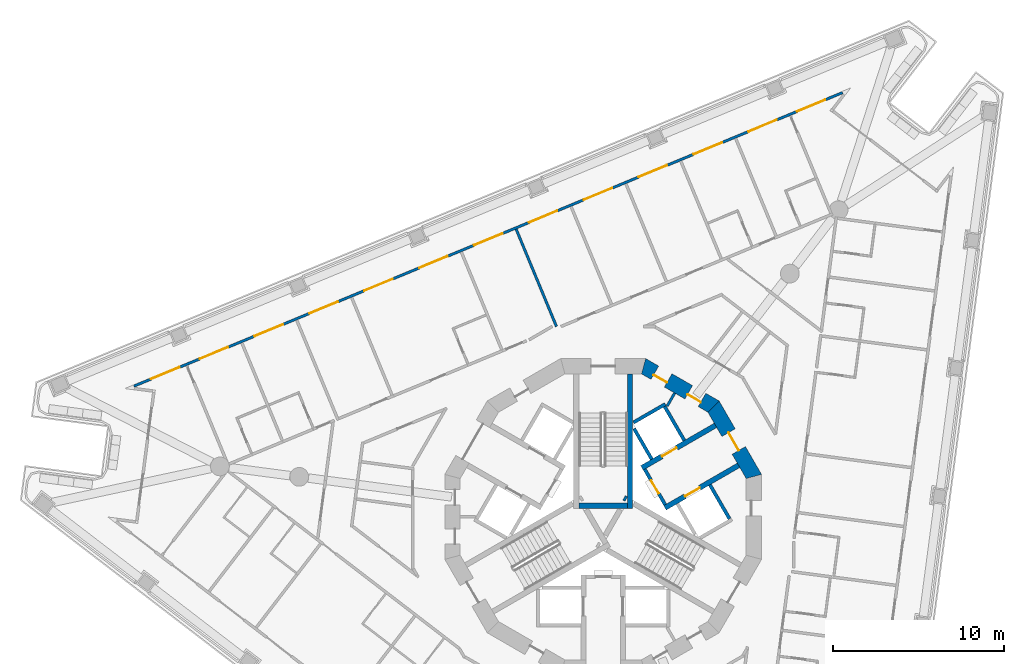
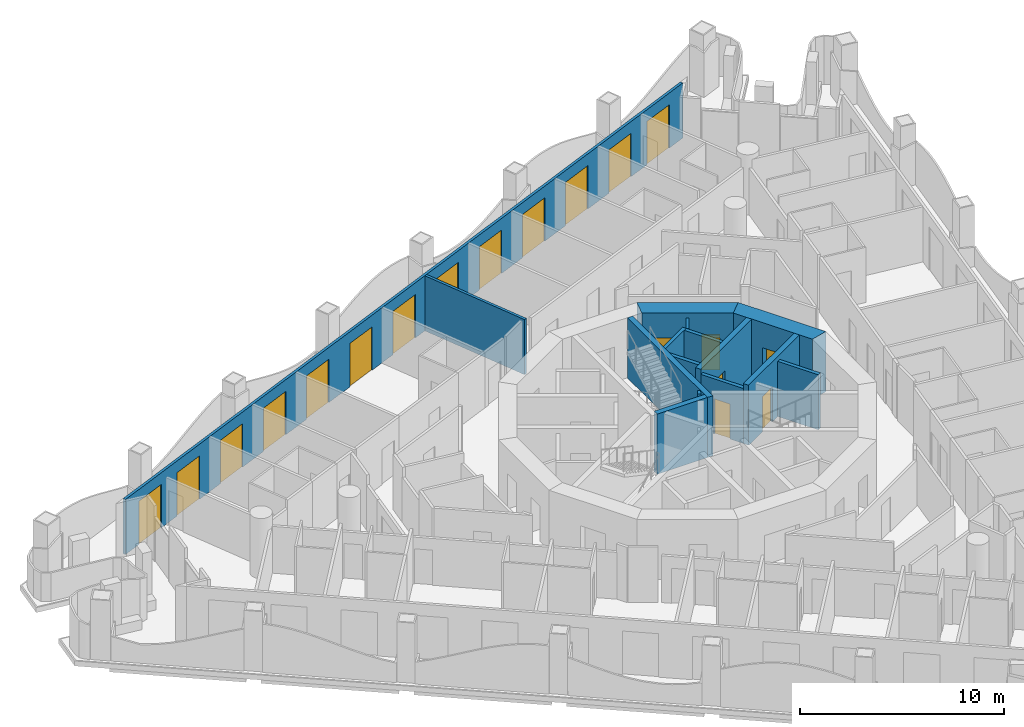
# One storey, part 8 of 17: 19 doors, 15 walls, 19 openings.
"""IFC4 building model written with IfcOpenShell, lengths in metres."""

from ifc_helpers import new_model, si_unit, direction, frame, frame_2d, origin, place, context, subcontext, project, spatial, polyline, rectangle, outline, extrude, material, layer, layer_set, type_object, element, fill, save


model = new_model("IFC4")

# Units and contexts
model_context = context("Model", 3, precision=1e-05, world=origin(), true_north=direction((0.0, 1.0)))
body_context = subcontext(model_context, "Body", "Model", "MODEL_VIEW")
ifc_project = project(units=[si_unit("LENGTHUNIT", "METRE"), si_unit("AREAUNIT", "SQUARE_METRE"), si_unit("VOLUMEUNIT", "CUBIC_METRE"), si_unit("PLANEANGLEUNIT", "RADIAN"), si_unit("MASSUNIT", "GRAM", prefix="KILO")], contexts=[model_context])

# Site, building, storey
site_placement = place(None, origin())
site = spatial("IfcSite", under=ifc_project, at=site_placement, CompositionType="ELEMENT")
building_placement = place(site_placement, origin())
building = spatial("IfcBuilding", under=site, at=building_placement, Name="Trine Commons Tower", CompositionType="ELEMENT")
storey_placement = place(building_placement, frame((0.0, 0.0, 127.800048828125)))
storey = spatial("IfcBuildingStorey", under=building, at=storey_placement, Name="L32", CompositionType="ELEMENT", Elevation=127.800048828125)

# Wall
ifc_material_1 = material(Name="Plasterboard partition on steel studs", Category="steel")
ifc_layer_1 = layer(ifc_material_1, 0.14990234375)
ifc_layer_set_1 = layer_set([ifc_layer_1], Name="Plasterboard partition on steel studs")
wall_type_1 = type_object("IfcWallType", Name="Core room partition 150 mm, EI 60", PredefinedType="PARTITIONING", material=ifc_layer_set_1)
wall_1_placement = place(storey_placement, frame((84.18603515625, 69.7509765625, 0.0), z_axis=(0.0, 0.0, 1.0), x_axis=(-0.499890179513, -0.866088799389, 0.0)))
element("IfcWall", 1, at=wall_1_placement, inside=storey, type_object=wall_type_1, Name="Core room partition L32", PredefinedType="PARTITIONING", context=body_context, shape_type="SweptSolid", body=[
    extrude(rectangle(XDim=0.882080078125, YDim=0.14990234375, at=frame_2d((0.44091796875, 0.0))), origin(), (0.0, 0.0, 1.0), 3.300048828125),
])

# Wall, openings, doors
ifc_material_2 = material(Name="Aluminium-framed insulated wall panel", Category="aluminium")
ifc_layer_2 = layer(ifc_material_2, 0.14990234375)
ifc_layer_set_2 = layer_set([ifc_layer_2], Name="Aluminium-framed insulated wall panel")
wall_type_2 = type_object("IfcWallType", Name="Glazed frame wall 150, EI 60", PredefinedType="SOLIDWALL", material=ifc_layer_set_2)
wall_2_placement = place(storey_placement, frame((52.38671875, 70.099609375, 0.0), z_axis=(0.0, 0.0, 1.0), x_axis=(0.92388051416, 0.382681062447, 0.0)))
wall_2 = element("IfcWall", 2, at=wall_2_placement, inside=storey, type_object=wall_type_2, Name="Glazed frame wall F1", PredefinedType="SOLIDWALL", context=body_context, shape_type="SweptSolid", body=[
    extrude(outline(polyline([(0.1494140625, 0.074951171875), (0.1494140625, -0.074951171875), (45.056884765625, -0.074951171875), (45.056884765625, 0.074951171875), (0.1494140625, 0.074951171875)])), origin(), (0.0, 0.0, 1.0), 3.300048828125),
])
opening_1_placement = place(wall_2_placement, frame((1.23876953125, 0.0, 0.0)))
opening_1 = element("IfcOpeningElement", 3, at=opening_1_placement, cuts=wall_2, Name="Opening BD-4F1-01", PredefinedType="OPENING", context=body_context, shape_type="SweptSolid", body=[
    extrude(rectangle(XDim=1.800048828125, YDim=2.60009765625, at=frame_2d((0.89990234375, 1.300048828125))), frame((0.0, 0.0849609375, 0.0), z_axis=(0.0, -1.0, 0.0), x_axis=(1.0, 0.0, 0.0)), (0.0, 0.0, 1.0), 0.169921875),
])
opening_2_placement = place(wall_2_placement, frame((4.316162109375, 0.0, 0.0)))
opening_2 = element("IfcOpeningElement", 4, at=opening_2_placement, cuts=wall_2, Name="Opening BD-4F1-02", PredefinedType="OPENING", context=body_context, shape_type="SweptSolid", body=[
    extrude(rectangle(XDim=1.800048828125, YDim=2.60009765625, at=frame_2d((0.89990234375, 1.300048828125))), frame((0.0, 0.0849609375, 0.0), z_axis=(0.0, -1.0, 0.0), x_axis=(1.0, 0.0, 0.0)), (0.0, 0.0, 1.0), 0.169921875),
])
opening_3_placement = place(wall_2_placement, frame((7.79345703125, 0.0, 0.0)))
opening_3 = element("IfcOpeningElement", 5, at=opening_3_placement, cuts=wall_2, Name="Opening BD-4F1-03", PredefinedType="OPENING", context=body_context, shape_type="SweptSolid", body=[
    extrude(rectangle(XDim=1.800048828125, YDim=2.60009765625, at=frame_2d((0.89990234375, 1.300048828125))), frame((0.0, 0.0849609375, 0.0), z_axis=(0.0, -1.0, 0.0), x_axis=(1.0, 0.0, 0.0)), (0.0, 0.0, 1.0), 0.169921875),
])
opening_4_placement = place(wall_2_placement, frame((11.27099609375, 0.0, 0.0)))
opening_4 = element("IfcOpeningElement", 6, at=opening_4_placement, cuts=wall_2, Name="Opening BD-4F1-04", PredefinedType="OPENING", context=body_context, shape_type="SweptSolid", body=[
    extrude(rectangle(XDim=1.800048828125, YDim=2.60009765625, at=frame_2d((0.89990234375, 1.300048828125))), frame((0.0, 0.0849609375, 0.0), z_axis=(0.0, -1.0, 0.0), x_axis=(1.0, 0.0, 0.0)), (0.0, 0.0, 1.0), 0.169921875),
])
opening_5_placement = place(wall_2_placement, frame((14.748291015625, 0.0, 0.0)))
opening_5 = element("IfcOpeningElement", 7, at=opening_5_placement, cuts=wall_2, Name="Opening BD-4F1-05", PredefinedType="OPENING", context=body_context, shape_type="SweptSolid", body=[
    extrude(rectangle(XDim=1.800048828125, YDim=2.60009765625, at=frame_2d((0.89990234375, 1.300048828125))), frame((0.0, 0.0849609375, 0.0), z_axis=(0.0, -1.0, 0.0), x_axis=(1.0, 0.0, 0.0)), (0.0, 0.0, 1.0), 0.169921875),
])
opening_6_placement = place(wall_2_placement, frame((18.2255859375, 0.0, 0.0)))
opening_6 = element("IfcOpeningElement", 8, at=opening_6_placement, cuts=wall_2, Name="Opening BD-4F1-06", PredefinedType="OPENING", context=body_context, shape_type="SweptSolid", body=[
    extrude(rectangle(XDim=1.800048828125, YDim=2.60009765625, at=frame_2d((0.89990234375, 1.300048828125))), frame((0.0, 0.0849609375, 0.0), z_axis=(0.0, -1.0, 0.0), x_axis=(1.0, 0.0, 0.0)), (0.0, 0.0, 1.0), 0.169921875),
])
opening_7_placement = place(wall_2_placement, frame((21.703125, 0.0, 0.0)))
opening_7 = element("IfcOpeningElement", 9, at=opening_7_placement, cuts=wall_2, Name="Opening BD-4F1-07", PredefinedType="OPENING", context=body_context, shape_type="SweptSolid", body=[
    extrude(rectangle(XDim=1.800048828125, YDim=2.60009765625, at=frame_2d((0.89990234375, 1.300048828125))), frame((0.0, 0.0849609375, 0.0), z_axis=(0.0, -1.0, 0.0), x_axis=(1.0, 0.0, 0.0)), (0.0, 0.0, 1.0), 0.169921875),
])
opening_8_placement = place(wall_2_placement, frame((25.180419921875, 0.0, 0.0)))
opening_8 = element("IfcOpeningElement", 10, at=opening_8_placement, cuts=wall_2, Name="Opening BD-4F1-08", PredefinedType="OPENING", context=body_context, shape_type="SweptSolid", body=[
    extrude(rectangle(XDim=1.800048828125, YDim=2.60009765625, at=frame_2d((0.89990234375, 1.300048828125))), frame((0.0, 0.0849609375, 0.0), z_axis=(0.0, -1.0, 0.0), x_axis=(1.0, 0.0, 0.0)), (0.0, 0.0, 1.0), 0.169921875),
])
opening_9_placement = place(wall_2_placement, frame((28.657958984375, 0.0, 0.0)))
opening_9 = element("IfcOpeningElement", 11, at=opening_9_placement, cuts=wall_2, Name="Opening BD-4F1-09", PredefinedType="OPENING", context=body_context, shape_type="SweptSolid", body=[
    extrude(rectangle(XDim=1.800048828125, YDim=2.60009765625, at=frame_2d((0.89990234375, 1.300048828125))), frame((0.0, 0.0849609375, 0.0), z_axis=(0.0, -1.0, 0.0), x_axis=(1.0, 0.0, 0.0)), (0.0, 0.0, 1.0), 0.169921875),
])
opening_10_placement = place(wall_2_placement, frame((32.13525390625, 0.0, 0.0)))
opening_10 = element("IfcOpeningElement", 12, at=opening_10_placement, cuts=wall_2, Name="Opening BD-4F1-10", PredefinedType="OPENING", context=body_context, shape_type="SweptSolid", body=[
    extrude(rectangle(XDim=1.800048828125, YDim=2.60009765625, at=frame_2d((0.89990234375, 1.300048828125))), frame((0.0, 0.0849609375, 0.0), z_axis=(0.0, -1.0, 0.0), x_axis=(1.0, 0.0, 0.0)), (0.0, 0.0, 1.0), 0.169921875),
])
opening_11_placement = place(wall_2_placement, frame((35.61279296875, 0.0, 0.0)))
opening_11 = element("IfcOpeningElement", 13, at=opening_11_placement, cuts=wall_2, Name="Opening BD-4F1-11", PredefinedType="OPENING", context=body_context, shape_type="SweptSolid", body=[
    extrude(rectangle(XDim=1.800048828125, YDim=2.60009765625, at=frame_2d((0.89990234375, 1.300048828125))), frame((0.0, 0.0849609375, 0.0), z_axis=(0.0, -1.0, 0.0), x_axis=(1.0, 0.0, 0.0)), (0.0, 0.0, 1.0), 0.169921875),
])
opening_12_placement = place(wall_2_placement, frame((39.090087890625, 0.0, 0.0)))
opening_12 = element("IfcOpeningElement", 14, at=opening_12_placement, cuts=wall_2, Name="Opening BD-4F1-12", PredefinedType="OPENING", context=body_context, shape_type="SweptSolid", body=[
    extrude(rectangle(XDim=1.800048828125, YDim=2.60009765625, at=frame_2d((0.89990234375, 1.300048828125))), frame((0.0, 0.0849609375, 0.0), z_axis=(0.0, -1.0, 0.0), x_axis=(1.0, 0.0, 0.0)), (0.0, 0.0, 1.0), 0.169921875),
])
opening_13_placement = place(wall_2_placement, frame((42.16748046875, 0.0, 0.0)))
opening_13 = element("IfcOpeningElement", 15, at=opening_13_placement, cuts=wall_2, Name="Opening BD-4F1-13", PredefinedType="OPENING", context=body_context, shape_type="SweptSolid", body=[
    extrude(rectangle(XDim=1.800048828125, YDim=2.60009765625, at=frame_2d((0.89990234375, 1.300048828125))), frame((0.0, 0.0849609375, 0.0), z_axis=(0.0, -1.0, 0.0), x_axis=(1.0, 0.0, 0.0)), (0.0, 0.0, 1.0), 0.169921875),
])
ifc_material_3 = material(Name="Anodised aluminium frame with double glazing", Category="aluminium")
door_type_1 = type_object("IfcDoorType", Name="Sliding loggia door 1800x2600", OperationType="SLIDING_TO_LEFT", PredefinedType="DOOR", material=ifc_material_3)
door_1_placement = place(opening_1_placement, origin())
door_1 = element("IfcDoor", 16, at=door_1_placement, inside=storey, type_object=door_type_1, Name="Loggia door F1 1", OperationType="SLIDING_TO_LEFT", OverallHeight=2.60009765625, OverallWidth=1.800048828125, PredefinedType="DOOR", context=body_context, shape_type="SweptSolid", body=[
    extrude(rectangle(XDim=1.800048828125, YDim=2.60009765625, at=frame_2d((0.89990234375, 1.300048828125))), frame((0.0, 0.02490234375, 0.0), z_axis=(0.0, -1.0, 0.0), x_axis=(1.0, 0.0, 0.0)), (0.0, 0.0, 1.0), 0.050048828125),
])
fill(opening_1, door_1)
door_2_placement = place(opening_2_placement, origin())
door_2 = element("IfcDoor", 17, at=door_2_placement, inside=storey, type_object=door_type_1, Name="Loggia door F1 2", OperationType="SLIDING_TO_LEFT", OverallHeight=2.60009765625, OverallWidth=1.800048828125, PredefinedType="DOOR", context=body_context, shape_type="SweptSolid", body=[
    extrude(rectangle(XDim=1.800048828125, YDim=2.60009765625, at=frame_2d((0.89990234375, 1.300048828125))), frame((0.0, 0.02490234375, 0.0), z_axis=(0.0, -1.0, 0.0), x_axis=(1.0, 0.0, 0.0)), (0.0, 0.0, 1.0), 0.050048828125),
])
fill(opening_2, door_2)
door_3_placement = place(opening_3_placement, origin())
door_3 = element("IfcDoor", 18, at=door_3_placement, inside=storey, type_object=door_type_1, Name="Loggia door F1 3", OperationType="SLIDING_TO_LEFT", OverallHeight=2.60009765625, OverallWidth=1.800048828125, PredefinedType="DOOR", context=body_context, shape_type="SweptSolid", body=[
    extrude(rectangle(XDim=1.800048828125, YDim=2.60009765625, at=frame_2d((0.89990234375, 1.300048828125))), frame((0.0, 0.02490234375, 0.0), z_axis=(0.0, -1.0, 0.0), x_axis=(1.0, 0.0, 0.0)), (0.0, 0.0, 1.0), 0.050048828125),
])
fill(opening_3, door_3)
door_4_placement = place(opening_4_placement, origin())
door_4 = element("IfcDoor", 19, at=door_4_placement, inside=storey, type_object=door_type_1, Name="Loggia door F1 4", OperationType="SLIDING_TO_LEFT", OverallHeight=2.60009765625, OverallWidth=1.800048828125, PredefinedType="DOOR", context=body_context, shape_type="SweptSolid", body=[
    extrude(rectangle(XDim=1.800048828125, YDim=2.60009765625, at=frame_2d((0.89990234375, 1.300048828125))), frame((0.0, 0.02490234375, 0.0), z_axis=(0.0, -1.0, 0.0), x_axis=(1.0, 0.0, 0.0)), (0.0, 0.0, 1.0), 0.050048828125),
])
fill(opening_4, door_4)
door_5_placement = place(opening_5_placement, origin())
door_5 = element("IfcDoor", 20, at=door_5_placement, inside=storey, type_object=door_type_1, Name="Loggia door F1 5", OperationType="SLIDING_TO_LEFT", OverallHeight=2.60009765625, OverallWidth=1.800048828125, PredefinedType="DOOR", context=body_context, shape_type="SweptSolid", body=[
    extrude(rectangle(XDim=1.800048828125, YDim=2.60009765625, at=frame_2d((0.89990234375, 1.300048828125))), frame((0.0, 0.02490234375, 0.0), z_axis=(0.0, -1.0, 0.0), x_axis=(1.0, 0.0, 0.0)), (0.0, 0.0, 1.0), 0.050048828125),
])
fill(opening_5, door_5)
door_6_placement = place(opening_6_placement, origin())
door_6 = element("IfcDoor", 21, at=door_6_placement, inside=storey, type_object=door_type_1, Name="Loggia door F1 6", OperationType="SLIDING_TO_LEFT", OverallHeight=2.60009765625, OverallWidth=1.800048828125, PredefinedType="DOOR", context=body_context, shape_type="SweptSolid", body=[
    extrude(rectangle(XDim=1.800048828125, YDim=2.60009765625, at=frame_2d((0.89990234375, 1.300048828125))), frame((0.0, 0.02490234375, 0.0), z_axis=(0.0, -1.0, 0.0), x_axis=(1.0, 0.0, 0.0)), (0.0, 0.0, 1.0), 0.050048828125),
])
fill(opening_6, door_6)
door_7_placement = place(opening_7_placement, origin())
door_7 = element("IfcDoor", 22, at=door_7_placement, inside=storey, type_object=door_type_1, Name="Loggia door F1 7", OperationType="SLIDING_TO_LEFT", OverallHeight=2.60009765625, OverallWidth=1.800048828125, PredefinedType="DOOR", context=body_context, shape_type="SweptSolid", body=[
    extrude(rectangle(XDim=1.800048828125, YDim=2.60009765625, at=frame_2d((0.89990234375, 1.300048828125))), frame((0.0, 0.02490234375, 0.0), z_axis=(0.0, -1.0, 0.0), x_axis=(1.0, 0.0, 0.0)), (0.0, 0.0, 1.0), 0.050048828125),
])
fill(opening_7, door_7)
door_8_placement = place(opening_8_placement, origin())
door_8 = element("IfcDoor", 23, at=door_8_placement, inside=storey, type_object=door_type_1, Name="Loggia door F1 8", OperationType="SLIDING_TO_LEFT", OverallHeight=2.60009765625, OverallWidth=1.800048828125, PredefinedType="DOOR", context=body_context, shape_type="SweptSolid", body=[
    extrude(rectangle(XDim=1.800048828125, YDim=2.60009765625, at=frame_2d((0.89990234375, 1.300048828125))), frame((0.0, 0.02490234375, 0.0), z_axis=(0.0, -1.0, 0.0), x_axis=(1.0, 0.0, 0.0)), (0.0, 0.0, 1.0), 0.050048828125),
])
fill(opening_8, door_8)
door_9_placement = place(opening_9_placement, origin())
door_9 = element("IfcDoor", 24, at=door_9_placement, inside=storey, type_object=door_type_1, Name="Loggia door F1 9", OperationType="SLIDING_TO_LEFT", OverallHeight=2.60009765625, OverallWidth=1.800048828125, PredefinedType="DOOR", context=body_context, shape_type="SweptSolid", body=[
    extrude(rectangle(XDim=1.800048828125, YDim=2.60009765625, at=frame_2d((0.89990234375, 1.300048828125))), frame((0.0, 0.02490234375, 0.0), z_axis=(0.0, -1.0, 0.0), x_axis=(1.0, 0.0, 0.0)), (0.0, 0.0, 1.0), 0.050048828125),
])
fill(opening_9, door_9)
door_10_placement = place(opening_10_placement, origin())
door_10 = element("IfcDoor", 25, at=door_10_placement, inside=storey, type_object=door_type_1, Name="Loggia door F1 10", OperationType="SLIDING_TO_LEFT", OverallHeight=2.60009765625, OverallWidth=1.800048828125, PredefinedType="DOOR", context=body_context, shape_type="SweptSolid", body=[
    extrude(rectangle(XDim=1.800048828125, YDim=2.60009765625, at=frame_2d((0.89990234375, 1.300048828125))), frame((0.0, 0.02490234375, 0.0), z_axis=(0.0, -1.0, 0.0), x_axis=(1.0, 0.0, 0.0)), (0.0, 0.0, 1.0), 0.050048828125),
])
fill(opening_10, door_10)
door_11_placement = place(opening_11_placement, origin())
door_11 = element("IfcDoor", 26, at=door_11_placement, inside=storey, type_object=door_type_1, Name="Loggia door F1 11", OperationType="SLIDING_TO_LEFT", OverallHeight=2.60009765625, OverallWidth=1.800048828125, PredefinedType="DOOR", context=body_context, shape_type="SweptSolid", body=[
    extrude(rectangle(XDim=1.800048828125, YDim=2.60009765625, at=frame_2d((0.89990234375, 1.300048828125))), frame((0.0, 0.02490234375, 0.0), z_axis=(0.0, -1.0, 0.0), x_axis=(1.0, 0.0, 0.0)), (0.0, 0.0, 1.0), 0.050048828125),
])
fill(opening_11, door_11)
door_12_placement = place(opening_12_placement, origin())
door_12 = element("IfcDoor", 27, at=door_12_placement, inside=storey, type_object=door_type_1, Name="Loggia door F1 12", OperationType="SLIDING_TO_LEFT", OverallHeight=2.60009765625, OverallWidth=1.800048828125, PredefinedType="DOOR", context=body_context, shape_type="SweptSolid", body=[
    extrude(rectangle(XDim=1.800048828125, YDim=2.60009765625, at=frame_2d((0.89990234375, 1.300048828125))), frame((0.0, 0.02490234375, 0.0), z_axis=(0.0, -1.0, 0.0), x_axis=(1.0, 0.0, 0.0)), (0.0, 0.0, 1.0), 0.050048828125),
])
fill(opening_12, door_12)
door_13_placement = place(opening_13_placement, origin())
door_13 = element("IfcDoor", 28, at=door_13_placement, inside=storey, type_object=door_type_1, Name="Loggia door F1 13", OperationType="SLIDING_TO_LEFT", OverallHeight=2.60009765625, OverallWidth=1.800048828125, PredefinedType="DOOR", context=body_context, shape_type="SweptSolid", body=[
    extrude(rectangle(XDim=1.800048828125, YDim=2.60009765625, at=frame_2d((0.89990234375, 1.300048828125))), frame((0.0, 0.02490234375, 0.0), z_axis=(0.0, -1.0, 0.0), x_axis=(1.0, 0.0, 0.0)), (0.0, 0.0, 1.0), 0.050048828125),
])
fill(opening_13, door_13)

# Wall, opening, door
ifc_material_4 = material(Name="Fire-rated gypsum shaft wall system")
ifc_layer_3 = layer(ifc_material_4, 0.199951171875)
ifc_layer_set_3 = layer_set([ifc_layer_3], Name="Fire-rated gypsum shaft wall system")
wall_type_3 = type_object("IfcWallType", Name="Lobby end wall 200 mm, EI 120", PredefinedType="PARTITIONING", material=ifc_layer_set_3)
wall_3_placement = place(storey_placement, frame((83.631103515625, 63.2109375, 0.0), z_axis=(0.0, 0.0, 1.0), x_axis=(-0.50012165622, 0.865955154139, 0.0)))
wall_3 = element("IfcWall", 29, at=wall_3_placement, inside=storey, type_object=wall_type_3, Name="Lobby end wall L32", PredefinedType="PARTITIONING", context=body_context, shape_type="SweptSolid", body=[
    extrude(rectangle(XDim=2.39990234375, YDim=0.199951171875, at=frame_2d((1.199951171875, 0.0))), origin(), (0.0, 0.0, 1.0), 3.300048828125),
])
opening_14_placement = place(wall_3_placement, frame((0.749755859375, 0.0, 0.0)))
opening_14 = element("IfcOpeningElement", 30, at=opening_14_placement, cuts=wall_3, Name="Opening K11.05", PredefinedType="OPENING", context=body_context, shape_type="SweptSolid", body=[
    extrude(rectangle(XDim=0.89990234375, YDim=2.10009765625, at=frame_2d((0.449951171875, 1.050048828125))), frame((0.0, 0.10986328125, 0.0), z_axis=(0.0, -1.0, 0.0), x_axis=(1.0, 0.0, 0.0)), (0.0, 0.0, 1.0), 0.219970703125),
])
ifc_material_5 = material(Name="Steel door leaf, fire-rated", Category="steel")
door_type_2 = type_object("IfcDoorType", Name="Riser access door, single leaf 900 x 2100, FD60", OperationType="SINGLE_SWING_LEFT", PredefinedType="DOOR", material=ifc_material_5)
door_14_placement = place(opening_14_placement, frame((0.89990234375, 0.0, 0.0), z_axis=(0.0, 0.0, 1.0), x_axis=(-1.0, 0.0, 0.0)))
door_14 = element("IfcDoor", 31, at=door_14_placement, inside=storey, type_object=door_type_2, Name="Riser door, Electrical riser L32", OperationType="SINGLE_SWING_LEFT", OverallHeight=2.10009765625, OverallWidth=0.89990234375, PredefinedType="DOOR", context=body_context, shape_type="SweptSolid", body=[
    extrude(rectangle(XDim=0.89990234375, YDim=2.10009765625, at=frame_2d((0.449951171875, 1.050048828125))), frame((0.0, 0.02490234375, 0.0), z_axis=(0.0, -1.0, 0.0), x_axis=(1.0, 0.0, 0.0)), (0.0, 0.0, 1.0), 0.050048828125),
])
fill(opening_14, door_14)

ifc_material_6 = material(Name="Concrete C70/85", Category="concrete")
ifc_layer_4 = layer(ifc_material_6, 0.300048828125)
ifc_layer_set_4 = layer_set([ifc_layer_4], Name="Concrete C70/85")
wall_type_4 = type_object("IfcWallType", Name="RC shear wall 300 mm, C70/85", PredefinedType="SHEAR", material=ifc_layer_set_4)
wall_4_placement = place(storey_placement, frame((82.26904296875, 65.368896484375, 0.0), z_axis=(0.0, 0.0, 1.0), x_axis=(0.865983655544, 0.500072303102, 0.0)))
wall_4 = element("IfcWall", 32, at=wall_4_placement, inside=storey, type_object=wall_type_4, Name="Core cross wall SWB-05 L32", PredefinedType="SHEAR", context=body_context, shape_type="SweptSolid", body=[
    extrude(rectangle(XDim=4.973388671875, YDim=0.300048828125, at=frame_2d((2.48681640625, 0.0))), origin(), (0.0, 0.0, 1.0), 3.599853515625),
])
opening_15_placement = place(wall_4_placement, frame((1.3505859375, 0.0, 0.0)))
opening_15 = element("IfcOpeningElement", 33, at=opening_15_placement, cuts=wall_4, Name="Opening LD5", PredefinedType="OPENING", context=body_context, shape_type="SweptSolid", body=[
    extrude(rectangle(XDim=1.0, YDim=2.10009765625, at=frame_2d((0.5, 1.050048828125))), frame((0.0, 0.159912109375, 0.0), z_axis=(0.0, -1.0, 0.0), x_axis=(1.0, 0.0, 0.0)), (0.0, 0.0, 1.0), 0.320068359375),
])
ifc_material_7 = material(Name="Stainless steel sliding door leaves", Category="steel")
door_type_3 = type_object("IfcDoorType", Name="Lift landing door, centre-opening sliding 1000 x 2100, FD90", OperationType="DOUBLE_DOOR_SLIDING", PredefinedType="DOOR", material=ifc_material_7)
door_15_placement = place(opening_15_placement, origin())
door_15 = element("IfcDoor", 34, at=door_15_placement, inside=storey, type_object=door_type_3, Name="Lift landing door HR1 L32", OperationType="DOUBLE_DOOR_SLIDING", OverallHeight=2.10009765625, OverallWidth=1.0, PredefinedType="DOOR", context=body_context, shape_type="SweptSolid", body=[
    extrude(rectangle(XDim=1.0, YDim=2.10009765625, at=frame_2d((0.5, 1.050048828125))), frame((0.0, 0.02490234375, 0.0), z_axis=(0.0, -1.0, 0.0), x_axis=(1.0, 0.0, 0.0)), (0.0, 0.0, 1.0), 0.050048828125),
])
fill(opening_15, door_15)

wall_5_placement = place(storey_placement, frame((83.618896484375, 63.031005859375, 0.0), z_axis=(0.0, 0.0, 1.0), x_axis=(0.866080953719, 0.499903772346, 0.0)))
wall_5 = element("IfcWall", 35, at=wall_5_placement, inside=storey, type_object=wall_type_4, Name="Core cross wall SWB-06 L32", PredefinedType="SHEAR", context=body_context, shape_type="SweptSolid", body=[
    extrude(rectangle(XDim=4.97314453125, YDim=0.300048828125, at=frame_2d((2.486572265625, 0.0))), origin(), (0.0, 0.0, 1.0), 3.599853515625),
])
opening_16_placement = place(wall_5_placement, frame((1.350341796875, 0.0, 0.0)))
opening_16 = element("IfcOpeningElement", 36, at=opening_16_placement, cuts=wall_5, Name="Opening LD6", PredefinedType="OPENING", context=body_context, shape_type="SweptSolid", body=[
    extrude(rectangle(XDim=1.0, YDim=2.10009765625, at=frame_2d((0.5, 1.050048828125))), frame((0.0, 0.159912109375, 0.0), z_axis=(0.0, -1.0, 0.0), x_axis=(1.0, 0.0, 0.0)), (0.0, 0.0, 1.0), 0.320068359375),
])
door_16_placement = place(opening_16_placement, origin())
door_16 = element("IfcDoor", 37, at=door_16_placement, inside=storey, type_object=door_type_3, Name="Lift landing door HR2 L32", OperationType="DOUBLE_DOOR_SLIDING", OverallHeight=2.10009765625, OverallWidth=1.0, PredefinedType="DOOR", context=body_context, shape_type="SweptSolid", body=[
    extrude(rectangle(XDim=1.0, YDim=2.10009765625, at=frame_2d((0.5, 1.050048828125))), frame((0.0, 0.02490234375, 0.0), z_axis=(0.0, -1.0, 0.0), x_axis=(1.0, 0.0, 0.0)), (0.0, 0.0, 1.0), 0.050048828125),
])
fill(opening_16, door_16)

# Walls
wall_6_placement = place(storey_placement, frame((81.220947265625, 63.614013671875, 0.0), z_axis=(0.0, 0.0, 1.0), x_axis=(0.867737973955, -0.497021939713, 0.0)))
element("IfcWall", 38, at=wall_6_placement, inside=storey, type_object=wall_type_4, Name="Core cross wall SWB-15 L32", PredefinedType="SHEAR", context=body_context, shape_type="SweptSolid", body=[
    extrude(rectangle(XDim=0.14892578125, YDim=0.300048828125, at=frame_2d((0.074462890625, 0.0))), origin(), (0.0, 0.0, 1.0), 3.599853515625),
])
wall_7_placement = place(storey_placement, frame((81.425048828125, 63.15087890625, 0.0), z_axis=(0.0, 0.0, 1.0), x_axis=(-1.0, 0.0, 0.0)))
element("IfcWall", 39, at=wall_7_placement, inside=storey, type_object=wall_type_4, Name="Core cross wall SWB-16 L32", PredefinedType="SHEAR", context=body_context, shape_type="SweptSolid", body=[
    extrude(rectangle(XDim=2.85009765625, YDim=0.300048828125, at=frame_2d((1.425048828125, 0.0))), origin(), (0.0, 0.0, 1.0), 3.599853515625),
])
wall_8_placement = place(storey_placement, frame((81.574951171875, 63.0009765625, 0.0), z_axis=(0.0, 0.0, 1.0), x_axis=(0.0, 1.0, 0.0)))
element("IfcWall", 40, at=wall_8_placement, inside=storey, type_object=wall_type_4, Name="Core cross wall SWB-17 L32", PredefinedType="SHEAR", context=body_context, shape_type="SweptSolid", body=[
    extrude(rectangle(XDim=7.8720703125, YDim=0.300048828125, at=frame_2d((3.93603515625, 0.0))), origin(), (0.0, 0.0, 1.0), 3.599853515625),
])

# Wall, opening, door
ifc_layer_5 = layer(ifc_material_6, 0.89990234375)
ifc_layer_set_5 = layer_set([ifc_layer_5], Name="Concrete C70/85")
wall_type_5 = type_object("IfcWallType", Name="RC shear wall 900 mm, C70/85", PredefinedType="SHEAR", material=ifc_layer_set_5)
wall_9_placement = place(storey_placement, frame((88.88330078125, 64.759765625, 0.0), z_axis=(0.0, 0.0, 1.0), x_axis=(-0.500038571144, 0.866003133579, 0.0)))
wall_9 = element("IfcWall", 41, at=wall_9_placement, inside=storey, type_object=wall_type_5, Name="Core wall CWD-02 L32", PredefinedType="SHEAR", context=body_context, shape_type="SweptSolid", body=[
    extrude(outline(polyline([(0.0, -0.449951171875), (4.96923828125, -0.449951171875), (4.72802734375, 0.449951171875), (0.2412109375, 0.449951171875), (0.0, -0.449951171875)])), origin(), (0.0, 0.0, 1.0), 3.599853515625),
])
opening_17_placement = place(wall_9_placement, frame((1.884521484375, 0.0, 0.0)))
opening_17 = element("IfcOpeningElement", 42, at=opening_17_placement, cuts=wall_9, Name="Opening K11.04", PredefinedType="OPENING", context=body_context, shape_type="SweptSolid", body=[
    extrude(rectangle(XDim=1.199951171875, YDim=2.10009765625, at=frame_2d((0.60009765625, 1.050048828125))), frame((0.0, 0.4599609375, 0.0), z_axis=(0.0, -1.0, 0.0), x_axis=(1.0, 0.0, 0.0)), (0.0, 0.0, 1.0), 0.919921875),
])
ifc_material_8 = material(Name="Steel door leaves, fire-rated", Category="steel")
door_type_4 = type_object("IfcDoorType", Name="Lobby door, double leaf 1200 x 2100, FD60", OperationType="DOUBLE_DOOR_SINGLE_SWING", PredefinedType="DOOR", material=ifc_material_8)
door_17_placement = place(opening_17_placement, origin())
door_17 = element("IfcDoor", 43, at=door_17_placement, inside=storey, type_object=door_type_4, Name="Lobby door, Passenger lift lobby A L32", OperationType="DOUBLE_DOOR_SINGLE_SWING", OverallHeight=2.10009765625, OverallWidth=1.199951171875, PredefinedType="DOOR", context=body_context, shape_type="SweptSolid", body=[
    extrude(rectangle(XDim=1.199951171875, YDim=2.10009765625, at=frame_2d((0.60009765625, 1.050048828125))), frame((0.0, 0.02490234375, 0.0), z_axis=(0.0, -1.0, 0.0), x_axis=(1.0, 0.0, 0.0)), (0.0, 0.0, 1.0), 0.050048828125),
])
fill(opening_17, door_17)

# Wall, openings, doors
wall_10_placement = place(storey_placement, frame((86.563232421875, 68.8984375, 0.0), z_axis=(0.0, 0.0, 1.0), x_axis=(-0.866003133579, 0.500038571144, 0.0)))
wall_10 = element("IfcWall", 44, at=wall_10_placement, inside=storey, type_object=wall_type_5, Name="Core wall CWD-03 L32", PredefinedType="SHEAR", context=body_context, shape_type="SweptSolid", body=[
    extrude(outline(polyline([(0.0, -0.449951171875), (4.96923828125, -0.449951171875), (4.72802734375, 0.449951171875), (0.2412109375, 0.449951171875), (0.0, -0.449951171875)])), origin(), (0.0, 0.0, 1.0), 3.599853515625),
])
opening_18_placement = place(wall_10_placement, frame((0.89599609375, 0.0, 0.0)))
opening_18 = element("IfcOpeningElement", 45, at=opening_18_placement, cuts=wall_10, Name="Opening K11.11", PredefinedType="OPENING", context=body_context, shape_type="SweptSolid", body=[
    extrude(rectangle(XDim=0.89990234375, YDim=2.10009765625, at=frame_2d((0.449951171875, 1.050048828125))), frame((0.0, 0.4599609375, 0.0), z_axis=(0.0, -1.0, 0.0), x_axis=(1.0, 0.0, 0.0)), (0.0, 0.0, 1.0), 0.919921875),
])
opening_19_placement = place(wall_10_placement, frame((3.18505859375, 0.0, 0.0)))
opening_19 = element("IfcOpeningElement", 46, at=opening_19_placement, cuts=wall_10, Name="Opening K11.12", PredefinedType="OPENING", context=body_context, shape_type="SweptSolid", body=[
    extrude(rectangle(XDim=0.89990234375, YDim=2.10009765625, at=frame_2d((0.449951171875, 1.050048828125))), frame((0.0, 0.4599609375, 0.0), z_axis=(0.0, -1.0, 0.0), x_axis=(1.0, 0.0, 0.0)), (0.0, 0.0, 1.0), 0.919921875),
])
door_type_5 = type_object("IfcDoorType", Name="Core room door, single leaf 900 x 2100, FD30S", OperationType="SINGLE_SWING_LEFT", PredefinedType="DOOR", material=ifc_material_5)
door_18_placement = place(opening_18_placement, origin())
door_18 = element("IfcDoor", 47, at=door_18_placement, inside=storey, type_object=door_type_5, Name="Door to Pantry L32", OperationType="SINGLE_SWING_LEFT", OverallHeight=2.10009765625, OverallWidth=0.89990234375, PredefinedType="DOOR", context=body_context, shape_type="SweptSolid", body=[
    extrude(rectangle(XDim=0.89990234375, YDim=2.10009765625, at=frame_2d((0.449951171875, 1.050048828125))), frame((0.0, 0.1748046875, 0.0), z_axis=(0.0, -1.0, 0.0), x_axis=(1.0, 0.0, 0.0)), (0.0, 0.0, 1.0), 0.050048828125),
])
fill(opening_18, door_18)
door_19_placement = place(opening_19_placement, origin())
door_19 = element("IfcDoor", 48, at=door_19_placement, inside=storey, type_object=door_type_5, Name="Door to Comms room L32", OperationType="SINGLE_SWING_RIGHT", OverallHeight=2.10009765625, OverallWidth=0.89990234375, PredefinedType="DOOR", context=body_context, shape_type="SweptSolid", body=[
    extrude(rectangle(XDim=0.89990234375, YDim=2.10009765625, at=frame_2d((0.449951171875, 1.050048828125))), frame((0.0, 0.1748046875, 0.0), z_axis=(0.0, -1.0, 0.0), x_axis=(1.0, 0.0, 0.0)), (0.0, 0.0, 1.0), 0.050048828125),
])
fill(opening_19, door_19)

# Walls
ifc_layer_6 = layer(ifc_material_4, 0.199951171875)
ifc_layer_set_6 = layer_set([ifc_layer_6], Name="Fire-rated gypsum shaft wall system")
wall_type_6 = type_object("IfcWallType", Name="Shaft wall 200 mm, EI 120", PredefinedType="PARTITIONING", material=ifc_layer_set_6)
wall_11_placement = place(storey_placement, frame((81.77490234375, 68.028076171875, 0.0), z_axis=(0.0, 0.0, 1.0), x_axis=(0.866130725101, 0.499817533742, 0.0)))
element("IfcWall", 49, at=wall_11_placement, inside=storey, type_object=wall_type_6, Name="Shaft wall L32", PredefinedType="PARTITIONING", context=body_context, shape_type="SweptSolid", body=[
    extrude(rectangle(XDim=2.148681640625, YDim=0.199951171875, at=frame_2d((1.07421875, 0.0))), origin(), (0.0, 0.0, 1.0), 3.300048828125),
])
wall_12_placement = place(storey_placement, frame((82.843994140625, 65.8740234375, 0.0), z_axis=(0.0, 0.0, 1.0), x_axis=(-0.499865770674, 0.866102887253, 0.0)))
element("IfcWall", 50, at=wall_12_placement, inside=storey, type_object=wall_type_6, Name="Shaft wall L32", PredefinedType="PARTITIONING", context=body_context, shape_type="SweptSolid", body=[
    extrude(rectangle(XDim=2.064453125, YDim=0.199951171875, at=frame_2d((1.0322265625, 0.0))), origin(), (0.0, 0.0, 1.0), 3.300048828125),
])
for number, where, z_axis, x_axis, name in (
    (51, (84.7490234375, 66.97412109375, 0.0), (0.0, 0.0, 1.0), (-0.500136062276, 0.86594683394, 0.0), "Shaft wall L32"),
    (52, (86.2490234375, 64.3759765625, 0.0), (0.0, 0.0, 1.0), (0.500136062276, -0.86594683394, 0.0), "Shaft wall L32"),
):
    element("IfcWall", number, at=place(storey_placement, frame(where, z_axis=z_axis, x_axis=x_axis)), inside=storey, type_object=wall_type_6, Name=name, PredefinedType="PARTITIONING", context=body_context, shape_type="SweptSolid", body=[
        extrude(rectangle(XDim=2.299072265625, YDim=0.199951171875, at=frame_2d((1.1494140625, 0.0))), origin(), (0.0, 0.0, 1.0), 3.300048828125),
    ])
ifc_material_9 = material(Name="Gypsum plasterboard on steel stud", Category="steel")
ifc_layer_7 = layer(ifc_material_9, 0.14990234375)
ifc_layer_set_7 = layer_set([ifc_layer_7], Name="Gypsum plasterboard on steel stud")
wall_type_7 = type_object("IfcWallType", Name="Unit and corridor wall 150 mm, EI 60", PredefinedType="PARTITIONING", material=ifc_layer_set_7)
wall_13_placement = place(storey_placement, frame((74.904296875, 79.344970703125, 0.0), z_axis=(0.0, 0.0, 1.0), x_axis=(0.382660672574, -0.923888959597, 0.0)))
element("IfcWall", 53, at=wall_13_placement, inside=storey, type_object=wall_type_7, Name="Partition 054", PredefinedType="PARTITIONING", context=body_context, shape_type="SweptSolid", body=[
    extrude(rectangle(XDim=6.166259765625, YDim=0.14990234375, at=frame_2d((3.0830078125, 0.0))), origin(), (0.0, 0.0, 1.0), 3.300048828125),
])

save(model, "model.ifc")
